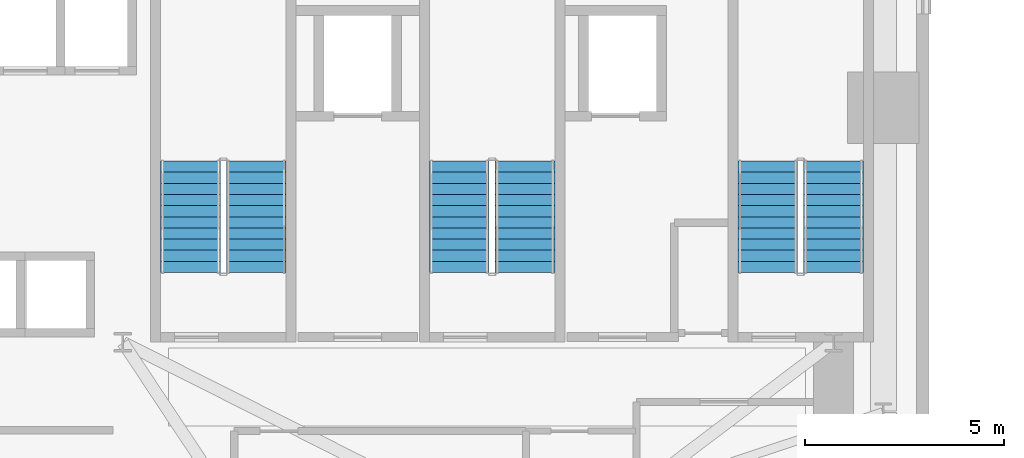
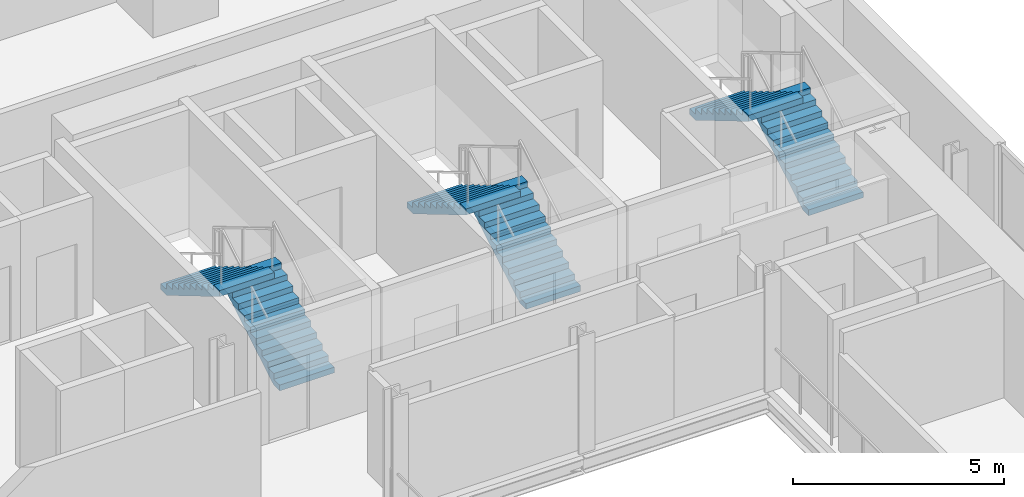
# One storey, part 9 of 12: 6 stair flights, 3 elements without a shape of their own.
"""IFC4 building model written with IfcOpenShell, lengths in metres."""

from ifc_helpers import new_model, si_unit, direction, frame, origin, place, context, subcontext, project, spatial, polyline, outline, extrude, source, transform, mapped, material, type_object, element, aggregate, save


model = new_model("IFC4")

# Units and contexts
model_context = context("Model", 3, precision=1e-05, world=origin(), true_north=direction((0.0, 1.0)))
body_context = subcontext(model_context, "Body", "Model", "MODEL_VIEW")
ifc_project = project(units=[si_unit("LENGTHUNIT", "METRE"), si_unit("AREAUNIT", "SQUARE_METRE"), si_unit("VOLUMEUNIT", "CUBIC_METRE"), si_unit("PLANEANGLEUNIT", "RADIAN"), si_unit("MASSUNIT", "GRAM", prefix="KILO")], contexts=[model_context])

# Site, building, storey
site_placement = place(None, origin())
site = spatial("IfcSite", under=ifc_project, at=site_placement, CompositionType="ELEMENT")
building_placement = place(site_placement, origin())
building = spatial("IfcBuilding", under=site, at=building_placement, Name="Vardaveli Station Tower", CompositionType="ELEMENT")
storey_placement = place(building_placement, frame((0.0, 0.0, 60.449951171875)))
storey = spatial("IfcBuildingStorey", under=building, at=storey_placement, Name="L15", CompositionType="ELEMENT", Elevation=60.449951171875)

# Stair, stair flights
ifc_material = material(Name="Concrete C40/50", Category="concrete")
stair_type = type_object("IfcStairType", Name="STR-CORE-1500", PredefinedType="HALF_TURN_STAIR", material=ifc_material)
stair_1_placement = place(storey_placement, origin())
stair_1 = element("IfcStair", 1, at=stair_1_placement, inside=storey, type_object=stair_type, Name="L15 ST-1", PredefinedType="HALF_TURN_STAIR")
stair_flight_type = type_object("IfcStairFlightType", Name="SFL-CORE-1500", PredefinedType="STRAIGHT", material=ifc_material)
shared_shape = source(origin(), body_context, "Body", "SweptSolid", [
    extrude(outline(polyline([(0.0, 0.0), (0.0, 0.166015625), (0.280029296875, 0.166015625), (0.280029296875, 0.331787109375), (0.56005859375, 0.331787109375), (0.56005859375, 0.497802734375), (0.840087890625, 0.497802734375), (0.840087890625, 0.66357421875), (1.1201171875, 0.66357421875), (1.1201171875, 0.82958984375), (1.39990234375, 0.82958984375), (1.39990234375, 0.995361328125), (1.679931640625, 0.995361328125), (1.679931640625, 1.161376953125), (1.9599609375, 1.161376953125), (1.9599609375, 1.327392578125), (2.239990234375, 1.327392578125), (2.239990234375, 1.4931640625), (2.52001953125, 1.4931640625), (2.52001953125, 1.6591796875), (2.800048828125, 1.6591796875), (2.800048828125, 1.824951171875), (2.800048828125, 1.48486328125), (0.2939453125, 0.0), (0.0, 0.0)])), frame((0.0, 0.75, 0.0), z_axis=(0.0, -1.0, 0.0), x_axis=(1.0, 0.0, 0.0)), (0.0, 0.0, 1.0), 1.5),
])
stair_flight_1_placement = place(storey_placement, frame((32.0, 32.39990234375, 0.0), z_axis=(0.0, 0.0, 1.0), x_axis=(0.0, 1.0, 0.0)))
stair_flight_1 = element("IfcStairFlight", 2, at=stair_flight_1_placement, type_object=stair_flight_type, Name="ST-1 flight 1", NumberOfRisers=11, NumberOfTreads=10, PredefinedType="STRAIGHT", RiserHeight=0.165909091, TreadLength=0.28, context=body_context, shape_type="MappedRepresentation", body=[
    mapped(shared_shape, transform((0.0, 0.0, 0.0), scale=1.0)),
])
stair_flight_2_placement = place(storey_placement, frame((30.35009765625, 35.199951171875, 1.824951171875), z_axis=(0.0, 0.0, 1.0), x_axis=(0.0, -1.0, 0.0)))
stair_flight_2 = element("IfcStairFlight", 3, at=stair_flight_2_placement, type_object=stair_flight_type, Name="ST-1 flight 2", NumberOfRisers=11, NumberOfTreads=10, PredefinedType="STRAIGHT", RiserHeight=0.165909091, TreadLength=0.28, context=body_context, shape_type="MappedRepresentation", body=[
    mapped(shared_shape, transform((0.0, 0.0, 0.0), scale=1.0)),
])
aggregate(stair_1, [stair_flight_1, stair_flight_2])

stair_2_placement = place(storey_placement, origin())
stair_2 = element("IfcStair", 4, at=stair_2_placement, inside=storey, type_object=stair_type, Name="L15 ST-2", PredefinedType="HALF_TURN_STAIR")
stair_flight_3_placement = place(storey_placement, frame((38.75, 32.39990234375, 0.0), z_axis=(0.0, 0.0, 1.0), x_axis=(0.0, 1.0, 0.0)))
stair_flight_3 = element("IfcStairFlight", 5, at=stair_flight_3_placement, type_object=stair_flight_type, Name="ST-2 flight 1", NumberOfRisers=11, NumberOfTreads=10, PredefinedType="STRAIGHT", RiserHeight=0.165909091, TreadLength=0.28, context=body_context, shape_type="MappedRepresentation", body=[
    mapped(shared_shape, transform((0.0, 0.0, 0.0), scale=1.0)),
])
stair_flight_4_placement = place(storey_placement, frame((37.10009765625, 35.199951171875, 1.824951171875), z_axis=(0.0, 0.0, 1.0), x_axis=(0.0, -1.0, 0.0)))
stair_flight_4 = element("IfcStairFlight", 6, at=stair_flight_4_placement, type_object=stair_flight_type, Name="ST-2 flight 2", NumberOfRisers=11, NumberOfTreads=10, PredefinedType="STRAIGHT", RiserHeight=0.165909091, TreadLength=0.28, context=body_context, shape_type="MappedRepresentation", body=[
    mapped(shared_shape, transform((0.0, 0.0, 0.0), scale=1.0)),
])
aggregate(stair_2, [stair_flight_3, stair_flight_4])

stair_3_placement = place(storey_placement, origin())
stair_3 = element("IfcStair", 7, at=stair_3_placement, inside=storey, type_object=stair_type, Name="L15 ST-3", PredefinedType="HALF_TURN_STAIR")
stair_flight_5_placement = place(storey_placement, frame((46.5, 32.39990234375, 0.0), z_axis=(0.0, 0.0, 1.0), x_axis=(0.0, 1.0, 0.0)))
stair_flight_5 = element("IfcStairFlight", 8, at=stair_flight_5_placement, type_object=stair_flight_type, Name="ST-3 flight 1", NumberOfRisers=11, NumberOfTreads=10, PredefinedType="STRAIGHT", RiserHeight=0.165909091, TreadLength=0.28, context=body_context, shape_type="MappedRepresentation", body=[
    mapped(shared_shape, transform((0.0, 0.0, 0.0), scale=1.0)),
])
stair_flight_6_placement = place(storey_placement, frame((44.85009765625, 35.199951171875, 1.824951171875), z_axis=(0.0, 0.0, 1.0), x_axis=(0.0, -1.0, 0.0)))
stair_flight_6 = element("IfcStairFlight", 9, at=stair_flight_6_placement, type_object=stair_flight_type, Name="ST-3 flight 2", NumberOfRisers=11, NumberOfTreads=10, PredefinedType="STRAIGHT", RiserHeight=0.165909091, TreadLength=0.28, context=body_context, shape_type="MappedRepresentation", body=[
    mapped(shared_shape, transform((0.0, 0.0, 0.0), scale=1.0)),
])
aggregate(stair_3, [stair_flight_5, stair_flight_6])

save(model, "model.ifc")
